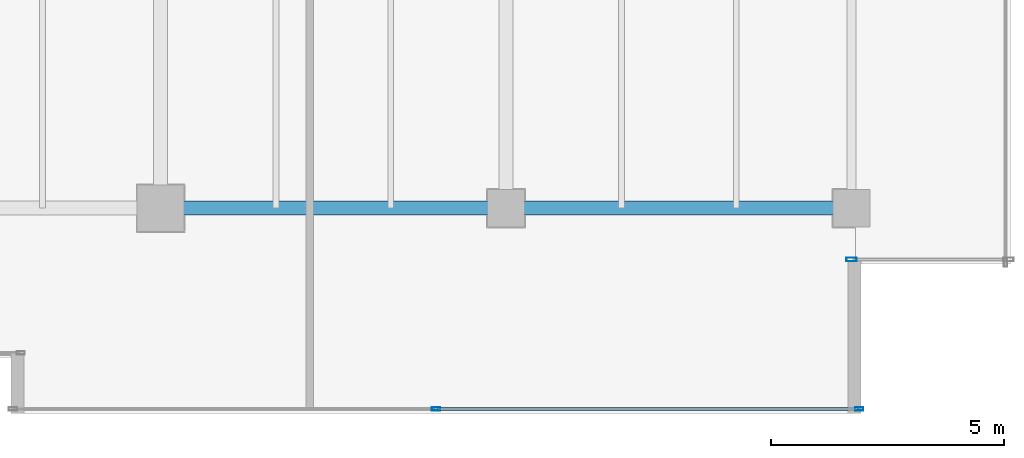
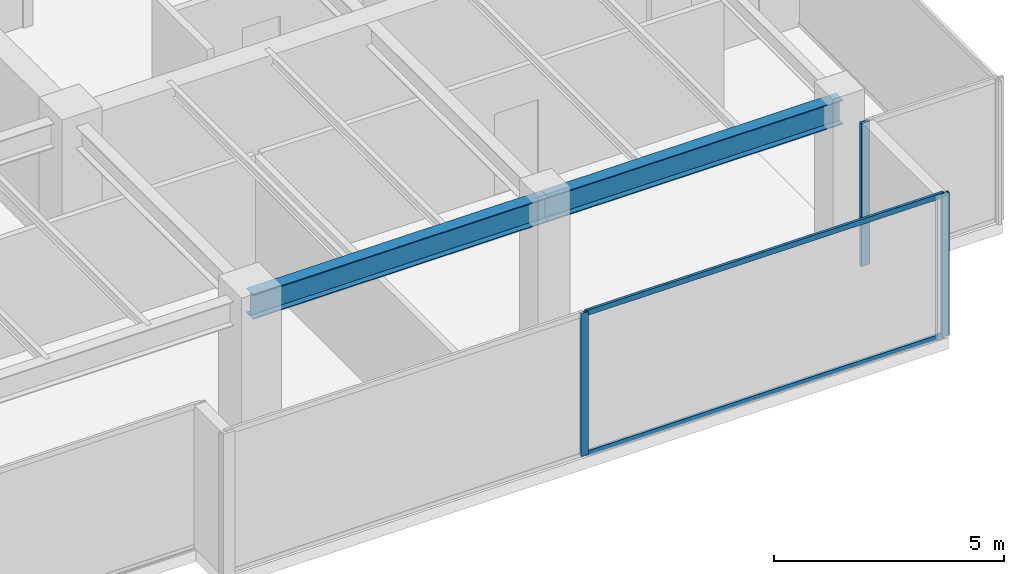
# One storey, part 13 of 36: 5 members, 2 beams, 2 elements without a shape of their own.
"""IFC4 building model written with IfcOpenShell, lengths in metres."""

from ifc_helpers import new_model, si_unit, direction, frame, origin, origin_2d, place, context, subcontext, project, spatial, hollow_rectangle, i_section, extrude, source, transform, mapped, material, layer, layer_set, material_profile, profile_set, type_object, type_shapes, element, aggregate, save


model = new_model("IFC4")

# Units and contexts
model_context = context("Model", 3, precision=1e-05, world=origin(), true_north=direction((0.0, 1.0)))
body_context = subcontext(model_context, "Body", "Model", "MODEL_VIEW")
ifc_project = project(units=[si_unit("LENGTHUNIT", "METRE"), si_unit("AREAUNIT", "SQUARE_METRE"), si_unit("VOLUMEUNIT", "CUBIC_METRE"), si_unit("PLANEANGLEUNIT", "RADIAN"), si_unit("MASSUNIT", "GRAM", prefix="KILO")], contexts=[model_context])

# Site, building, storey
site_placement = place(None, origin())
site = spatial("IfcSite", under=ifc_project, at=site_placement, CompositionType="ELEMENT")
building_placement = place(site_placement, origin())
building = spatial("IfcBuilding", under=site, at=building_placement, Name="Haelvirn Gate Laboratories", CompositionType="ELEMENT")
storey_placement = place(building_placement, frame((0.0, 0.0, 254.699951171875)))
storey = spatial("IfcBuildingStorey", under=building, at=storey_placement, Name="L61", CompositionType="ELEMENT", Elevation=254.699951171875)

# Beams
ifc_material_1 = material(Name="Steel SM355", Category="steel")
ifc_material_profile_1 = material_profile(ifc_material_1, i_section(OverallWidth=0.300048828125, OverallDepth=0.64990234375, WebThickness=0.012939453125, FlangeThickness=0.02197265625, at=origin_2d()), Name="H-650x300x13x22")
ifc_profile_set_1 = profile_set([ifc_material_profile_1], Name="Steel SM355")
beam_type = type_object("IfcBeamType", Name="BM-G-650", PredefinedType="BEAM", material=ifc_profile_set_1)
shared_shape_1 = source(origin(), body_context, "Body", "SweptSolid", [
    extrude(i_section(OverallWidth=0.300048828125, OverallDepth=0.64990234375, WebThickness=0.012939453125, FlangeThickness=0.02197265625, at=origin_2d()), origin(), (0.0, 0.0, 1.0), 7.39990234375),
])
type_shapes(beam_type, [shared_shape_1])
for number, where, z_axis, x_axis, name in (
    (1, (52.60009765625, 7.0, 3.47509765625), (1.0, 0.0, 0.0), (0.0, 1.0, 0.0), "L61 Primary Girder Y7.0 (52.6-60.0)"),
    (2, (60.0, 7.0, 3.47509765625), (1.0, 0.0, 0.0), (0.0, 1.0, 0.0), "L61 Primary Girder Y7.0 (60.0-67.4)"),
):
    element("IfcBeam", number, at=place(storey_placement, frame(where, z_axis=z_axis, x_axis=x_axis)), inside=storey, type_object=beam_type, Name=name, PredefinedType="BEAM", context=body_context, shape_type="MappedRepresentation", body=[
        mapped(shared_shape_1, transform((0.0, 0.0, 0.0), scale=1.0)),
    ])

# Curtain wall, members
ifc_material_2 = material(Name="Anodised bronze unitised aluminium & triple low-E glass", Category="aluminium")
ifc_layer_1 = layer(ifc_material_2, 0.176025390625, Name="CW-SYS-4")
ifc_layer_set_1 = layer_set([ifc_layer_1], Name="Anodised bronze unitised aluminium & triple low-E glass")
curtain_wall_type_1 = type_object("IfcCurtainWallType", Name="CW-SYS-4", PredefinedType="NOTDEFINED", material=ifc_layer_set_1)
curtain_wall_1_placement = place(storey_placement, origin())
curtain_wall_1 = element("IfcCurtainWall", 3, at=curtain_wall_1_placement, inside=storey, type_object=curtain_wall_type_1, Name="L61 Unitised Curtain Wall CW-L61-P0-E04-1", PredefinedType="NOTDEFINED")
ifc_material_3 = material(Name="Extruded aluminium 6063-T6 (anodised bronze)", Category="aluminium")
ifc_material_profile_2 = material_profile(ifc_material_3, hollow_rectangle(XDim=0.06494140625, YDim=0.139892578125, WallThickness=0.00390625, at=origin_2d()), Name="CWT-140x65x4")
ifc_profile_set_2 = profile_set([ifc_material_profile_2], Name="Extruded aluminium 6063-T6 (anodised bronze)")
member_type_1 = type_object("IfcMemberType", Name="CWT-T140", PredefinedType="USERDEFINED", material=ifc_profile_set_2)
shared_shape_2 = source(origin(), body_context, "Body", "SweptSolid", [
    extrude(hollow_rectangle(XDim=0.06494140625, YDim=0.139892578125, WallThickness=0.00390625, at=origin_2d()), origin(), (0.0, 0.0, 1.0), 8.9951171875),
])
type_shapes(member_type_1, [shared_shape_2])
member_1_placement = place(storey_placement, frame((58.534912109375, 2.699951171875, 0.032470703125), z_axis=(1.0, 0.0, 0.0), x_axis=(0.0, 1.0, 0.0)))
member_1 = element("IfcMember", 4, at=member_1_placement, type_object=member_type_1, Name="CW4 transom 2.1", ObjectType="TRANSOM", PredefinedType="USERDEFINED", context=body_context, shape_type="MappedRepresentation", body=[
    mapped(shared_shape_2, transform((0.0, 0.0, 0.0), scale=1.0)),
])
member_2_placement = place(storey_placement, frame((58.534912109375, 2.699951171875, 3.767578125), z_axis=(1.0, 0.0, 0.0), x_axis=(0.0, 1.0, 0.0)))
member_2 = element("IfcMember", 5, at=member_2_placement, type_object=member_type_1, Name="CW4 transom 2.2", ObjectType="TRANSOM", PredefinedType="USERDEFINED", context=body_context, shape_type="MappedRepresentation", body=[
    mapped(shared_shape_2, transform((0.0, 0.0, 0.0), scale=1.0)),
])
ifc_material_profile_3 = material_profile(ifc_material_3, hollow_rectangle(XDim=0.070068359375, YDim=0.179931640625, WallThickness=0.0048828125, at=origin_2d()), Name="CWM-180x70x5")
ifc_profile_set_3 = profile_set([ifc_material_profile_3], Name="Extruded aluminium 6063-T6 (anodised bronze)")
member_type_2 = type_object("IfcMemberType", Name="CWM-T180", PredefinedType="MULLION", material=ifc_profile_set_3)
shared_shape_3 = source(origin(), body_context, "Body", "SweptSolid", [
    extrude(hollow_rectangle(XDim=0.070068359375, YDim=0.179931640625, WallThickness=0.0048828125, at=origin_2d()), origin(), (0.0, 0.0, 1.0), 3.800048828125),
])
type_shapes(member_type_2, [shared_shape_3])
member_3_placement = place(storey_placement, frame((58.5, 2.699951171875, 0.0), z_axis=(0.0, 0.0, 1.0), x_axis=(0.0, 1.0, 0.0)))
member_3 = element("IfcMember", 6, at=member_3_placement, type_object=member_type_2, Name="CW4 mullion 2", PredefinedType="MULLION", context=body_context, shape_type="MappedRepresentation", body=[
    mapped(shared_shape_3, transform((0.0, 0.0, 0.0), scale=1.0)),
])
member_4_placement = place(storey_placement, frame((67.56494140625, 2.699951171875, 0.0), z_axis=(0.0, 0.0, 1.0), x_axis=(0.0, 1.0, 0.0)))
member_4 = element("IfcMember", 7, at=member_4_placement, type_object=member_type_2, Name="CW4 mullion 3", PredefinedType="MULLION", context=body_context, shape_type="MappedRepresentation", body=[
    mapped(shared_shape_3, transform((0.0, 0.0, 0.0), scale=1.0)),
])
aggregate(curtain_wall_1, [member_3, member_4, member_1, member_2])

# Curtain wall, member
ifc_layer_2 = layer(ifc_material_2, 0.181884765625, Name="CW-SYS-5")
ifc_layer_set_2 = layer_set([ifc_layer_2], Name="Anodised bronze unitised aluminium & triple low-E glass")
curtain_wall_type_2 = type_object("IfcCurtainWallType", Name="CW-SYS-5", PredefinedType="NOTDEFINED", material=ifc_layer_set_2)
curtain_wall_2_placement = place(storey_placement, origin())
curtain_wall_2 = element("IfcCurtainWall", 8, at=curtain_wall_2_placement, inside=storey, type_object=curtain_wall_type_2, Name="L61 Unitised Curtain Wall CW-L61-P0-E06-1", PredefinedType="NOTDEFINED")
ifc_material_profile_4 = material_profile(ifc_material_3, hollow_rectangle(XDim=0.080078125, YDim=0.219970703125, WallThickness=0.006103515625, at=origin_2d()), Name="CWM-220x80x6")
ifc_profile_set_4 = profile_set([ifc_material_profile_4], Name="Extruded aluminium 6063-T6 (anodised bronze)")
member_type_3 = type_object("IfcMemberType", Name="CWM-T220", PredefinedType="MULLION", material=ifc_profile_set_4)
shared_shape_4 = source(origin(), body_context, "Body", "SweptSolid", [
    extrude(hollow_rectangle(XDim=0.080078125, YDim=0.219970703125, WallThickness=0.006103515625, at=origin_2d()), origin(), (0.0, 0.0, 1.0), 3.800048828125),
])
type_shapes(member_type_3, [shared_shape_4])
member_5_placement = place(storey_placement, frame((67.39990234375, 5.89990234375, 0.0), z_axis=(0.0, 0.0, 1.0), x_axis=(0.0, 1.0, 0.0)))
member_5 = element("IfcMember", 9, at=member_5_placement, type_object=member_type_3, Name="CW5 mullion 1", PredefinedType="MULLION", context=body_context, shape_type="MappedRepresentation", body=[
    mapped(shared_shape_4, transform((0.0, 0.0, 0.0), scale=1.0)),
])
aggregate(curtain_wall_2, [member_5])

save(model, "model.ifc")
